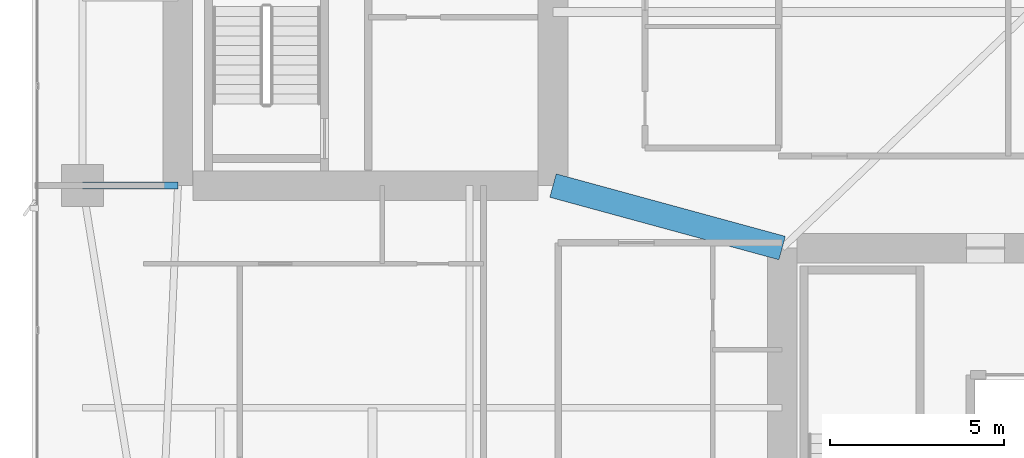
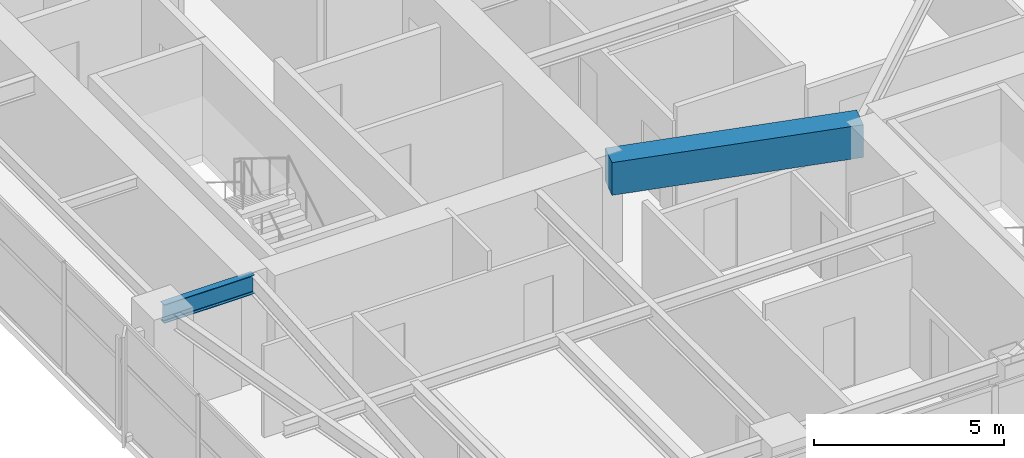
# One storey, part 7 of 28: 2 beams.
"""IFC4 building model written with IfcOpenShell, lengths in metres."""

from ifc_helpers import new_model, si_unit, direction, frame, origin, origin_2d, place, context, subcontext, project, spatial, rectangle, i_section, extrude, material, material_profile, profile_set, type_object, element, save


model = new_model("IFC4")

# Units and contexts
model_context = context("Model", 3, precision=1e-05, world=origin(), true_north=direction((0.0, 1.0)))
body_context = subcontext(model_context, "Body", "Model", "MODEL_VIEW")
ifc_project = project(units=[si_unit("LENGTHUNIT", "METRE"), si_unit("AREAUNIT", "SQUARE_METRE"), si_unit("VOLUMEUNIT", "CUBIC_METRE"), si_unit("PLANEANGLEUNIT", "RADIAN"), si_unit("MASSUNIT", "GRAM", prefix="KILO")], contexts=[model_context])

# Site, building, storey
site_placement = place(None, origin())
site = spatial("IfcSite", under=ifc_project, at=site_placement, CompositionType="ELEMENT")
building_placement = place(site_placement, origin())
building = spatial("IfcBuilding", under=site, at=building_placement, Name="Calvorn Quay Hotel", CompositionType="ELEMENT")
storey_placement = place(building_placement, frame((0.0, 0.0, 178.89990234375)))
storey = spatial("IfcBuildingStorey", under=building, at=storey_placement, Name="L44", CompositionType="ELEMENT", Elevation=178.89990234375)

# Beams
ifc_material_1 = material(Name="Steel Q355B", Category="steel")
ifc_material_profile_1 = material_profile(ifc_material_1, i_section(OverallWidth=0.199951171875, OverallDepth=0.60009765625, WebThickness=0.010986328125, FlangeThickness=0.01708984375, FilletRadius=0.01806640625, at=origin_2d()), Name="HN600x200x11x17")
ifc_profile_set_1 = profile_set([ifc_material_profile_1], Name="Steel Q355B")
beam_type_1 = type_object("IfcBeamType", Name="BM-GIRD-TYP", PredefinedType="BEAM", material=ifc_profile_set_1)
beam_1_placement = place(storey_placement, frame((1.449951171875, 16.800048828125, 3.239990234375), z_axis=(1.0, 0.0, 0.0), x_axis=(0.0, 1.0, 0.0)))
element("IfcBeam", 1, at=beam_1_placement, inside=storey, type_object=beam_type_1, Name="Beam BG-L44-W1", PredefinedType="BEAM", context=body_context, shape_type="SweptSolid", body=[
    extrude(i_section(OverallWidth=0.199951171875, OverallDepth=0.60009765625, WebThickness=0.010986328125, FlangeThickness=0.01708984375, FilletRadius=0.01806640625, at=origin_2d()), origin(), (0.0, 0.0, 1.0), 2.75),
])
ifc_material_2 = material(Name="Concrete C50", Category="concrete")
ifc_material_profile_2 = material_profile(ifc_material_2, rectangle(XDim=0.699951171875, YDim=1.050048828125, at=origin_2d()), Name="RCB700x1050")
ifc_profile_set_2 = profile_set([ifc_material_profile_2], Name="Concrete C50")
beam_type_2 = type_object("IfcBeamType", Name="BM-RC-LINK-700x1050", PredefinedType="BEAM", material=ifc_profile_set_2)
beam_2_placement = place(storey_placement, frame((15.0, 16.800048828125, 3.01513671875), z_axis=(0.964762997686, -0.263120425462, 0.0), x_axis=(0.263120425462, 0.964762997686, 0.0)))
element("IfcBeam", 2, at=beam_2_placement, inside=storey, type_object=beam_type_2, Name="Beam BCL-L44-01", PredefinedType="BEAM", context=body_context, shape_type="SweptSolid", body=[
    extrude(rectangle(XDim=0.699951171875, YDim=1.050048828125, at=origin_2d()), origin(), (0.0, 0.0, 1.0), 6.841064453125),
])

save(model, "model.ifc")
